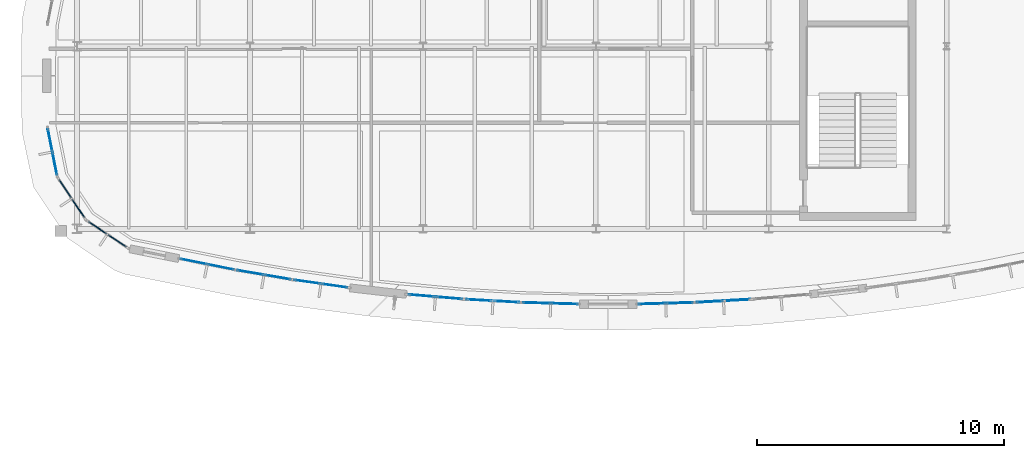
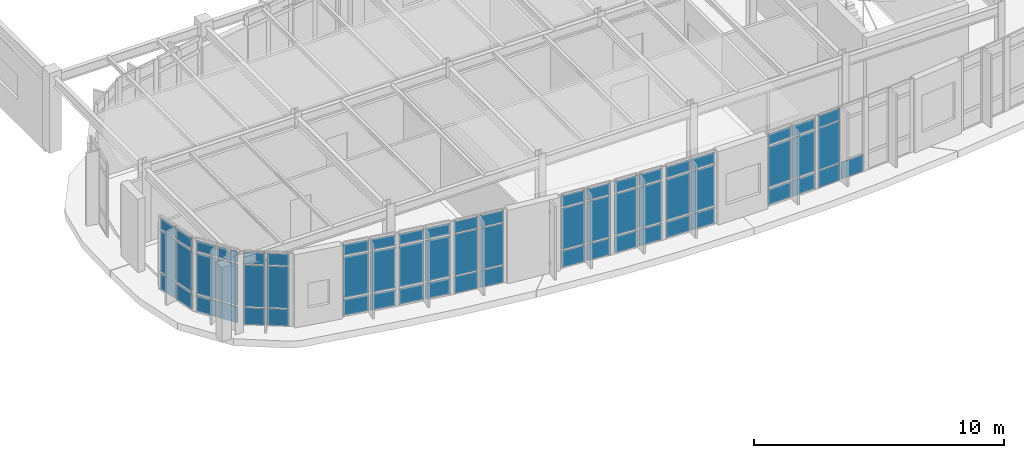
# One storey, part 71 of 111: 64 plates, 11 elements without a shape of their own.
"""IFC4 building model written with IfcOpenShell, lengths in metres."""

import ifcopenshell
import ifcopenshell.guid

model = None  # the IFC model being written
_history = None  # IfcOwnerHistory: only IFC2X3 demands one
_inside = {}  # id of a spatial element -> (the spatial element, [elements in it])
_under = {}  # id of a project, library or spatial element -> (it, [spatial elements below it])
_declared = {}  # id of a project -> (the project, [libraries it declares])
_typed = {}  # id of a type object -> (the type object, [elements of that type])
_made_of = {}  # id of a material, layer set ... -> (it, [elements and type objects made of it])


def new_model(schema):
    """Start an empty IFC model of exactly this schema.

    Asked for "IFC4X3", IfcOpenShell would pick the latest addendum, in which some entities
    have other attributes; the version numbers below select the first issue.
    IFC2X3 requires an IfcOwnerHistory on every rooted entity: one is made here for all.
    """
    global model, _history
    if schema == "IFC4X3":
        model = ifcopenshell.file(schema_version=(4, 3, 0, 0))
    else:
        model = ifcopenshell.file(schema=schema)
    _inside.clear()
    _under.clear()
    _declared.clear()
    _typed.clear()
    _made_of.clear()
    _history = None
    if model.schema == "IFC2X3":
        org = make("IfcOrganization", Name="unknown")
        user = make(
            "IfcPersonAndOrganization",
            ThePerson=make("IfcPerson", FamilyName="unknown"),
            TheOrganization=org,
        )
        app = make(
            "IfcApplication",
            ApplicationDeveloper=org,
            Version="unknown",
            ApplicationFullName="unknown",
            ApplicationIdentifier="unknown",
        )
        _history = make(
            "IfcOwnerHistory",
            OwningUser=user,
            OwningApplication=app,
            ChangeAction="ADDED",
            CreationDate=0,
        )
    return model


def make(cls, **values):
    """One entity of the class cls with the attributes given. An attribute that is None is left unset."""
    return model.create_entity(
        cls, **{name: value for name, value in values.items() if value is not None}
    )


def rooted(cls, **values):
    """An entity with a GlobalId (a new one), such as an element, a storey or a relation."""
    return make(cls, GlobalId=ifcopenshell.guid.new(), OwnerHistory=_history, **values)


def si_unit(unit_type, name, prefix=None):
    """IfcSIUnit, for example si_unit("LENGTHUNIT", "METRE", prefix="MILLI")."""
    return make("IfcSIUnit", UnitType=unit_type, Prefix=prefix, Name=name)


def assignment(units):
    """IfcUnitAssignment: the units of a project."""
    return None if units is None else make("IfcUnitAssignment", Units=units)


def point(xyz):
    """IfcCartesianPoint."""
    return None if xyz is None else make("IfcCartesianPoint", Coordinates=xyz)


def direction(xyz):
    """IfcDirection."""
    return None if xyz is None else make("IfcDirection", DirectionRatios=xyz)


def frame(location, z_axis=None, x_axis=None):
    """IfcAxis2Placement3D, a coordinate frame: its origin and axes. An axis left out is left unset."""
    return make(
        "IfcAxis2Placement3D",
        Location=point(location),
        Axis=direction(z_axis),
        RefDirection=direction(x_axis),
    )


def frame_2d(location, x_axis=None):
    """IfcAxis2Placement2D, a coordinate frame in the plane: its origin and x axis."""
    return make(
        "IfcAxis2Placement2D", Location=point(location), RefDirection=direction(x_axis)
    )


def origin():
    """The frame at (0, 0, 0) with its axes left unset."""
    return frame((0.0, 0.0, 0.0))


def origin_2d():
    """The frame at (0, 0) in the plane with its x axis left unset."""
    return frame_2d((0.0, 0.0))


def place(relative_to, where):
    """IfcLocalPlacement: puts the frame where relative to a parent placement (None: the world)."""
    return make(
        "IfcLocalPlacement", PlacementRelTo=relative_to, RelativePlacement=where
    )


def context(
    kind, dimensions, precision=None, world=None, true_north=None, identifier=None
):
    """IfcGeometricRepresentationContext, for example the 3D "Model" context."""
    return make(
        "IfcGeometricRepresentationContext",
        ContextIdentifier=identifier,
        ContextType=kind,
        CoordinateSpaceDimension=dimensions,
        Precision=precision,
        WorldCoordinateSystem=world,
        TrueNorth=true_north,
    )


def subcontext(parent, identifier, kind, view, scale=None):
    """IfcGeometricRepresentationSubContext, for example "Body" below "Model"."""
    return make(
        "IfcGeometricRepresentationSubContext",
        ContextIdentifier=identifier,
        ContextType=kind,
        ParentContext=parent,
        TargetScale=scale,
        TargetView=view,
    )


def project(units=None, contexts=None):
    """IfcProject with its units and contexts."""
    return rooted(
        "IfcProject",
        Name="project",
        RepresentationContexts=contexts,
        UnitsInContext=assignment(units),
    )


def spatial(cls, under=None, at=None, **own):
    """A site, building, storey or space (cls), placed at a placement, below another one or the project."""
    s = rooted(cls, ObjectPlacement=at, **own)
    if under is not None:
        _under.setdefault(under.id(), (under, []))[1].append(s)
    return s


def profile(cls, at=None, kind="AREA", **sizes):
    """A parametric profile (cls). Its sizes go by their IFC names, for example OverallWidth=200.0."""
    return make(cls, ProfileType=kind, Position=at, **sizes)


def rectangle(**sizes):
    """IfcRectangleProfileDef."""
    return profile("IfcRectangleProfileDef", **sizes)


def extrude(swept, where, along, depth):
    """IfcExtrudedAreaSolid: the profile swept, set in the frame where, extruded along a direction by depth."""
    return make(
        "IfcExtrudedAreaSolid",
        SweptArea=swept,
        Position=where,
        ExtrudedDirection=direction(along),
        Depth=depth,
    )


def shape(context_of_items, identifier, shape_type, items):
    """IfcShapeRepresentation: the items that make up one representation, for example the "Body"."""
    return make(
        "IfcShapeRepresentation",
        ContextOfItems=context_of_items,
        RepresentationIdentifier=identifier,
        RepresentationType=shape_type,
        Items=items,
    )


def material(Name=None, Category=None):
    """IfcMaterial."""
    return make("IfcMaterial", Name=Name, Category=Category)


def layer(
    of_material, thickness, ventilated=None, Name=None, Category=None, Priority=None
):
    """IfcMaterialLayer: one layer of a wall or slab, of a material (None: an air gap)."""
    return make(
        "IfcMaterialLayer",
        Material=of_material,
        LayerThickness=thickness,
        IsVentilated=ventilated,
        Name=Name,
        Category=Category,
        Priority=Priority,
    )


def layer_set(layers, Name=None):
    """IfcMaterialLayerSet."""
    return make("IfcMaterialLayerSet", MaterialLayers=layers, LayerSetName=Name)


def made_of(thing, what):
    """Note that an element or type object is made of a material, layer set ...; save() writes the relation."""
    if what is not None:
        _made_of.setdefault(what.id(), (what, []))[1].append(thing)
    return thing


def type_object(cls, material=None, **own):
    """A type object (cls), such as IfcWallType, which elements share."""
    return made_of(rooted(cls, **own), material)


def element(
    cls,
    number,
    at=None,
    inside=None,
    cuts=None,
    type_object=None,
    material=None,
    context=None,
    identifier="Body",
    shape_type=None,
    held_by="IfcProductDefinitionShape",
    body=None,
    shapes=None,
    **own,
):
    """One element of the class cls, such as IfcWall. Its Tag is "e" and its number.

    at: its placement. inside: the storey or other place that contains it. cuts: it is an
    opening in that element (IfcRelVoidsElement). A single representation is given by context,
    identifier, shape_type and body (its items); several are given by shapes. held_by: the class
    of the entity that holds the representations. save() writes the other relations.
    """
    e = rooted(cls, Tag="e%d" % number, ObjectPlacement=at, **own)
    if body is not None:
        shapes = [shape(context, identifier, shape_type, body)]
    if shapes is not None:
        e.Representation = make(held_by, Representations=shapes)
    if inside is not None:
        _inside.setdefault(inside.id(), (inside, []))[1].append(e)
    if cuts is not None:
        rooted(
            "IfcRelVoidsElement", RelatingBuildingElement=cuts, RelatedOpeningElement=e
        )
    if type_object is not None:
        _typed.setdefault(type_object.id(), (type_object, []))[1].append(e)
    return made_of(e, material)


def aggregate(whole, parts):
    """IfcRelAggregates: a whole, such as a stair, and the parts it consists of."""
    return rooted("IfcRelAggregates", RelatingObject=whole, RelatedObjects=parts)


def save(model, path):
    """Write the relations noted so far, then the file.

    IfcRelAggregates (storeys below a building ...), IfcRelContainedInSpatialStructure (elements
    in a storey), IfcRelDefinesByType, IfcRelAssociatesMaterial and IfcRelDeclares: one each for
    every whole, place, type object, material and project.
    """
    for whole, parts in _under.values():
        aggregate(whole, parts)
    for where, things in _inside.values():
        rooted(
            "IfcRelContainedInSpatialStructure",
            RelatedElements=things,
            RelatingStructure=where,
        )
    for kind, things in _typed.values():
        rooted("IfcRelDefinesByType", RelatedObjects=things, RelatingType=kind)
    for what, things in _made_of.values():
        rooted("IfcRelAssociatesMaterial", RelatedObjects=things, RelatingMaterial=what)
    for by, libraries in _declared.values():
        rooted("IfcRelDeclares", RelatingContext=by, RelatedDefinitions=libraries)
    model.write(path)


model = new_model("IFC4")

# Units and contexts
model_context = context("Model", 3, precision=1e-05, world=origin(), true_north=direction((0.0, 1.0)))
body_context = subcontext(model_context, "Body", "Model", "MODEL_VIEW")
ifc_project = project(units=[si_unit("LENGTHUNIT", "METRE"), si_unit("AREAUNIT", "SQUARE_METRE"), si_unit("VOLUMEUNIT", "CUBIC_METRE"), si_unit("PLANEANGLEUNIT", "RADIAN"), si_unit("MASSUNIT", "GRAM", prefix="KILO")], contexts=[model_context])

# Site, building, storey
site_placement = place(None, origin())
site = spatial("IfcSite", under=ifc_project, at=site_placement, CompositionType="ELEMENT")
building_placement = place(site_placement, origin())
building = spatial("IfcBuilding", under=site, at=building_placement, Name="Corveleigh Park Community Centre", CompositionType="ELEMENT")
storey_placement = place(building_placement, frame((0.0, 0.0, 4.800048828125)))
storey = spatial("IfcBuildingStorey", under=building, at=storey_placement, Name="L01", CompositionType="ELEMENT", Elevation=4.800048828125)

# Curtain wall, plates
ifc_material_1 = material(Name="Anodised aluminium 6063-T6", Category="aluminium")
curtain_wall_type = type_object("IfcCurtainWallType", Name="CW-SYS-V2-HALL", PredefinedType="NOTDEFINED", material=ifc_material_1)
curtain_wall_1_placement = place(storey_placement, origin())
curtain_wall_1 = element("IfcCurtainWall", 1, at=curtain_wall_1_placement, inside=storey, type_object=curtain_wall_type, Name="V2 L01 Curtain Wall 194", PredefinedType="NOTDEFINED")
ifc_material_2 = material(Name="Low-E double glazing", Category="glass")
ifc_layer_1 = layer(ifc_material_2, 0.02392578125, Name="Low-E double glazing", Category="glass")
ifc_layer_set_1 = layer_set([ifc_layer_1], Name="Low-E double glazing")
plate_type_1 = type_object("IfcPlateType", Name="CWP-GLZ-24", PredefinedType="CURTAIN_PANEL", material=ifc_layer_set_1)
plate_1_placement = place(storey_placement, frame((17.022705078125, 76.45947265625, 0.074951171875), z_axis=(0.0, 0.0, 1.0), x_axis=(-0.980381101638, 0.197111378544, 0.0)))
plate_1 = element("IfcPlate", 2, at=plate_1_placement, type_object=plate_type_1, Name="CW04 panel 1.1", PredefinedType="CURTAIN_PANEL", context=body_context, shape_type="SweptSolid", body=[
    extrude(rectangle(XDim=1.061767578125, YDim=0.02392578125, at=origin_2d()), origin(), (0.0, 0.0, 1.0), 0.78759765625),
])
plate_2_placement = place(storey_placement, frame((17.022705078125, 76.45947265625, 0.9375), z_axis=(0.0, 0.0, 1.0), x_axis=(-0.980381101638, 0.197111378544, 0.0)))
plate_2 = element("IfcPlate", 3, at=plate_2_placement, type_object=plate_type_1, Name="CW04 panel 1.2", PredefinedType="CURTAIN_PANEL", context=body_context, shape_type="SweptSolid", body=[
    extrude(rectangle(XDim=1.061767578125, YDim=0.02392578125, at=origin_2d()), origin(), (0.0, 0.0, 1.0), 1.9951171875),
])
plate_3_placement = place(storey_placement, frame((17.022705078125, 76.45947265625, 3.00732421875), z_axis=(0.0, 0.0, 1.0), x_axis=(-0.980381101638, 0.197111378544, 0.0)))
plate_3 = element("IfcPlate", 4, at=plate_3_placement, type_object=plate_type_1, Name="CW04 panel 1.3", PredefinedType="CURTAIN_PANEL", context=body_context, shape_type="SweptSolid", body=[
    extrude(rectangle(XDim=1.061767578125, YDim=0.02392578125, at=origin_2d()), origin(), (0.0, 0.0, 1.0), 0.53759765625),
])
plate_4_placement = place(storey_placement, frame((15.918212890625, 76.681640625, 0.074951171875), z_axis=(0.0, 0.0, 1.0), x_axis=(-0.980381101638, 0.197111378544, 0.0)))
plate_4 = element("IfcPlate", 5, at=plate_4_placement, type_object=plate_type_1, Name="CW04 panel 2.1", PredefinedType="CURTAIN_PANEL", context=body_context, shape_type="SweptSolid", body=[
    extrude(rectangle(XDim=1.061767578125, YDim=0.02392578125, at=origin_2d()), origin(), (0.0, 0.0, 1.0), 0.78759765625),
])
plate_5_placement = place(storey_placement, frame((15.918212890625, 76.681640625, 0.9375), z_axis=(0.0, 0.0, 1.0), x_axis=(-0.980381101638, 0.197111378544, 0.0)))
plate_5 = element("IfcPlate", 6, at=plate_5_placement, type_object=plate_type_1, Name="CW04 panel 2.2", PredefinedType="CURTAIN_PANEL", context=body_context, shape_type="SweptSolid", body=[
    extrude(rectangle(XDim=1.061767578125, YDim=0.02392578125, at=origin_2d()), origin(), (0.0, 0.0, 1.0), 1.9951171875),
])
plate_6_placement = place(storey_placement, frame((15.918212890625, 76.681640625, 3.00732421875), z_axis=(0.0, 0.0, 1.0), x_axis=(-0.980381101638, 0.197111378544, 0.0)))
plate_6 = element("IfcPlate", 7, at=plate_6_placement, type_object=plate_type_1, Name="CW04 panel 2.3", PredefinedType="CURTAIN_PANEL", context=body_context, shape_type="SweptSolid", body=[
    extrude(rectangle(XDim=1.061767578125, YDim=0.02392578125, at=origin_2d()), origin(), (0.0, 0.0, 1.0), 0.53759765625),
])
aggregate(curtain_wall_1, [plate_1, plate_2, plate_3, plate_4, plate_5, plate_6])

curtain_wall_2_placement = place(storey_placement, origin())
curtain_wall_2 = element("IfcCurtainWall", 8, at=curtain_wall_2_placement, inside=storey, type_object=curtain_wall_type, Name="V2 L01 Curtain Wall 195", PredefinedType="NOTDEFINED")
ifc_layer_2 = layer(ifc_material_2, 0.028076171875, Name="Low-E double glazing", Category="glass")
ifc_layer_set_2 = layer_set([ifc_layer_2], Name="Low-E double glazing")
plate_type_2 = type_object("IfcPlateType", Name="CWP-GLZ-28", PredefinedType="CURTAIN_PANEL", material=ifc_layer_set_2)
plate_7_placement = place(storey_placement, frame((19.3193359375, 76.04833984375, 0.080078125), z_axis=(0.0, 0.0, 1.0), x_axis=(-0.985708447551, 0.16846025177, 0.0)))
plate_7 = element("IfcPlate", 9, at=plate_7_placement, type_object=plate_type_2, Name="CW04 panel 1.1", PredefinedType="CURTAIN_PANEL", context=body_context, shape_type="SweptSolid", body=[
    extrude(rectangle(XDim=1.052490234375, YDim=0.028076171875, at=origin_2d()), origin(), (0.0, 0.0, 1.0), 0.780029296875),
])
plate_8_placement = place(storey_placement, frame((19.3193359375, 76.04833984375, 0.93994140625), z_axis=(0.0, 0.0, 1.0), x_axis=(-0.985708447551, 0.16846025177, 0.0)))
plate_8 = element("IfcPlate", 10, at=plate_8_placement, type_object=plate_type_2, Name="CW04 panel 1.2", PredefinedType="CURTAIN_PANEL", context=body_context, shape_type="SweptSolid", body=[
    extrude(rectangle(XDim=1.052490234375, YDim=0.028076171875, at=origin_2d()), origin(), (0.0, 0.0, 1.0), 1.989990234375),
])
plate_9_placement = place(storey_placement, frame((19.3193359375, 76.04833984375, 3.009765625), z_axis=(0.0, 0.0, 1.0), x_axis=(-0.985708447551, 0.16846025177, 0.0)))
plate_9 = element("IfcPlate", 11, at=plate_9_placement, type_object=plate_type_2, Name="CW04 panel 1.3", PredefinedType="CURTAIN_PANEL", context=body_context, shape_type="SweptSolid", body=[
    extrude(rectangle(XDim=1.052490234375, YDim=0.028076171875, at=origin_2d()), origin(), (0.0, 0.0, 1.0), 0.530029296875),
])
plate_10_placement = place(storey_placement, frame((18.212646484375, 76.237548828125, 0.080078125), z_axis=(0.0, 0.0, 1.0), x_axis=(-0.985708447551, 0.16846025177, 0.0)))
plate_10 = element("IfcPlate", 12, at=plate_10_placement, type_object=plate_type_2, Name="CW04 panel 2.1", PredefinedType="CURTAIN_PANEL", context=body_context, shape_type="SweptSolid", body=[
    extrude(rectangle(XDim=1.052490234375, YDim=0.028076171875, at=origin_2d()), origin(), (0.0, 0.0, 1.0), 0.780029296875),
])
plate_11_placement = place(storey_placement, frame((18.212646484375, 76.237548828125, 0.93994140625), z_axis=(0.0, 0.0, 1.0), x_axis=(-0.985708447551, 0.16846025177, 0.0)))
plate_11 = element("IfcPlate", 13, at=plate_11_placement, type_object=plate_type_2, Name="CW04 panel 2.2", PredefinedType="CURTAIN_PANEL", context=body_context, shape_type="SweptSolid", body=[
    extrude(rectangle(XDim=1.052490234375, YDim=0.028076171875, at=origin_2d()), origin(), (0.0, 0.0, 1.0), 1.989990234375),
])
plate_12_placement = place(storey_placement, frame((18.212646484375, 76.237548828125, 3.009765625), z_axis=(0.0, 0.0, 1.0), x_axis=(-0.985708447551, 0.16846025177, 0.0)))
plate_12 = element("IfcPlate", 14, at=plate_12_placement, type_object=plate_type_2, Name="CW04 panel 2.3", PredefinedType="CURTAIN_PANEL", context=body_context, shape_type="SweptSolid", body=[
    extrude(rectangle(XDim=1.052490234375, YDim=0.028076171875, at=origin_2d()), origin(), (0.0, 0.0, 1.0), 0.530029296875),
])
aggregate(curtain_wall_2, [plate_7, plate_8, plate_9, plate_10, plate_11, plate_12])

curtain_wall_3_placement = place(storey_placement, origin())
curtain_wall_3 = element("IfcCurtainWall", 15, at=curtain_wall_3_placement, inside=storey, type_object=curtain_wall_type, Name="V2 L01 Curtain Wall 196", PredefinedType="NOTDEFINED")
plate_13_placement = place(storey_placement, frame((21.62548828125, 75.70166015625, 0.059814453125), z_axis=(0.0, 0.0, 1.0), x_axis=(-0.989914912111, 0.141663216042, 0.0)))
plate_13 = element("IfcPlate", 16, at=plate_13_placement, type_object=plate_type_2, Name="CW04 panel 1.1", PredefinedType="CURTAIN_PANEL", context=body_context, shape_type="SweptSolid", body=[
    extrude(rectangle(XDim=1.045166015625, YDim=0.028076171875, at=origin_2d()), origin(), (0.0, 0.0, 1.0), 0.81005859375),
])
plate_14_placement = place(storey_placement, frame((21.62548828125, 75.70166015625, 0.93017578125), z_axis=(0.0, 0.0, 1.0), x_axis=(-0.989914912111, 0.141663216042, 0.0)))
plate_14 = element("IfcPlate", 17, at=plate_14_placement, type_object=plate_type_2, Name="CW04 panel 1.2", PredefinedType="CURTAIN_PANEL", context=body_context, shape_type="SweptSolid", body=[
    extrude(rectangle(XDim=1.045166015625, YDim=0.028076171875, at=origin_2d()), origin(), (0.0, 0.0, 1.0), 2.010009765625),
])
plate_15_placement = place(storey_placement, frame((21.62548828125, 75.70166015625, 3.0), z_axis=(0.0, 0.0, 1.0), x_axis=(-0.989914912111, 0.141663216042, 0.0)))
plate_15 = element("IfcPlate", 18, at=plate_15_placement, type_object=plate_type_2, Name="CW04 panel 1.3", PredefinedType="CURTAIN_PANEL", context=body_context, shape_type="SweptSolid", body=[
    extrude(rectangle(XDim=1.045166015625, YDim=0.028076171875, at=origin_2d()), origin(), (0.0, 0.0, 1.0), 0.56005859375),
])
plate_16_placement = place(storey_placement, frame((20.5166015625, 75.8603515625, 0.059814453125), z_axis=(0.0, 0.0, 1.0), x_axis=(-0.989914912111, 0.141663216042, 0.0)))
plate_16 = element("IfcPlate", 19, at=plate_16_placement, type_object=plate_type_2, Name="CW04 panel 2.1", PredefinedType="CURTAIN_PANEL", context=body_context, shape_type="SweptSolid", body=[
    extrude(rectangle(XDim=1.045166015625, YDim=0.028076171875, at=origin_2d()), origin(), (0.0, 0.0, 1.0), 0.81005859375),
])
plate_17_placement = place(storey_placement, frame((20.5166015625, 75.8603515625, 0.93017578125), z_axis=(0.0, 0.0, 1.0), x_axis=(-0.989914912111, 0.141663216042, 0.0)))
plate_17 = element("IfcPlate", 20, at=plate_17_placement, type_object=plate_type_2, Name="CW04 panel 2.2", PredefinedType="CURTAIN_PANEL", context=body_context, shape_type="SweptSolid", body=[
    extrude(rectangle(XDim=1.045166015625, YDim=0.028076171875, at=origin_2d()), origin(), (0.0, 0.0, 1.0), 2.010009765625),
])
plate_18_placement = place(storey_placement, frame((20.5166015625, 75.8603515625, 3.0), z_axis=(0.0, 0.0, 1.0), x_axis=(-0.989914912111, 0.141663216042, 0.0)))
plate_18 = element("IfcPlate", 21, at=plate_18_placement, type_object=plate_type_2, Name="CW04 panel 2.3", PredefinedType="CURTAIN_PANEL", context=body_context, shape_type="SweptSolid", body=[
    extrude(rectangle(XDim=1.045166015625, YDim=0.028076171875, at=origin_2d()), origin(), (0.0, 0.0, 1.0), 0.56005859375),
])
aggregate(curtain_wall_3, [plate_13, plate_14, plate_15, plate_16, plate_17, plate_18])

curtain_wall_4_placement = place(storey_placement, origin())
curtain_wall_4 = element("IfcCurtainWall", 22, at=curtain_wall_4_placement, inside=storey, type_object=curtain_wall_type, Name="V2 L01 Curtain Wall 197", PredefinedType="NOTDEFINED")
ifc_layer_3 = layer(ifc_material_2, 0.031982421875, Name="Low-E double glazing", Category="glass")
ifc_layer_set_3 = layer_set([ifc_layer_3], Name="Low-E double glazing")
plate_type_3 = type_object("IfcPlateType", Name="CWP-GLZ-32", PredefinedType="CURTAIN_PANEL", material=ifc_layer_set_3)
plate_19_placement = place(storey_placement, frame((26.264404296875, 75.205810546875, 0.06494140625), z_axis=(0.0, 0.0, 1.0), x_axis=(-0.996410419918, 0.084653854486, 0.0)))
plate_19 = element("IfcPlate", 23, at=plate_19_placement, type_object=plate_type_3, Name="CW04 panel 1.1", PredefinedType="CURTAIN_PANEL", context=body_context, shape_type="SweptSolid", body=[
    extrude(rectangle(XDim=1.03759765625, YDim=0.031982421875, at=origin_2d()), origin(), (0.0, 0.0, 1.0), 0.802490234375),
])
plate_20_placement = place(storey_placement, frame((26.264404296875, 75.205810546875, 0.9326171875), z_axis=(0.0, 0.0, 1.0), x_axis=(-0.996410419918, 0.084653854486, 0.0)))
plate_20 = element("IfcPlate", 24, at=plate_20_placement, type_object=plate_type_3, Name="CW04 panel 1.2", PredefinedType="CURTAIN_PANEL", context=body_context, shape_type="SweptSolid", body=[
    extrude(rectangle(XDim=1.03759765625, YDim=0.031982421875, at=origin_2d()), origin(), (0.0, 0.0, 1.0), 2.0048828125),
])
plate_21_placement = place(storey_placement, frame((26.264404296875, 75.205810546875, 3.00244140625), z_axis=(0.0, 0.0, 1.0), x_axis=(-0.996410419918, 0.084653854486, 0.0)))
plate_21 = element("IfcPlate", 25, at=plate_21_placement, type_object=plate_type_3, Name="CW04 panel 1.3", PredefinedType="CURTAIN_PANEL", context=body_context, shape_type="SweptSolid", body=[
    extrude(rectangle(XDim=1.03759765625, YDim=0.031982421875, at=origin_2d()), origin(), (0.0, 0.0, 1.0), 0.552490234375),
])
plate_22_placement = place(storey_placement, frame((25.150634765625, 75.30029296875, 0.06494140625), z_axis=(0.0, 0.0, 1.0), x_axis=(-0.996410419918, 0.084653854486, 0.0)))
plate_22 = element("IfcPlate", 26, at=plate_22_placement, type_object=plate_type_3, Name="CW04 panel 2.1", PredefinedType="CURTAIN_PANEL", context=body_context, shape_type="SweptSolid", body=[
    extrude(rectangle(XDim=1.03759765625, YDim=0.031982421875, at=origin_2d()), origin(), (0.0, 0.0, 1.0), 0.802490234375),
])
plate_23_placement = place(storey_placement, frame((25.150634765625, 75.30029296875, 0.9326171875), z_axis=(0.0, 0.0, 1.0), x_axis=(-0.996410419918, 0.084653854486, 0.0)))
plate_23 = element("IfcPlate", 27, at=plate_23_placement, type_object=plate_type_3, Name="CW04 panel 2.2", PredefinedType="CURTAIN_PANEL", context=body_context, shape_type="SweptSolid", body=[
    extrude(rectangle(XDim=1.03759765625, YDim=0.031982421875, at=origin_2d()), origin(), (0.0, 0.0, 1.0), 2.0048828125),
])
plate_24_placement = place(storey_placement, frame((25.150634765625, 75.30029296875, 3.00244140625), z_axis=(0.0, 0.0, 1.0), x_axis=(-0.996410419918, 0.084653854486, 0.0)))
plate_24 = element("IfcPlate", 28, at=plate_24_placement, type_object=plate_type_3, Name="CW04 panel 2.3", PredefinedType="CURTAIN_PANEL", context=body_context, shape_type="SweptSolid", body=[
    extrude(rectangle(XDim=1.03759765625, YDim=0.031982421875, at=origin_2d()), origin(), (0.0, 0.0, 1.0), 0.552490234375),
])
aggregate(curtain_wall_4, [plate_19, plate_20, plate_21, plate_22, plate_23, plate_24])

curtain_wall_5_placement = place(storey_placement, origin())
curtain_wall_5 = element("IfcCurtainWall", 29, at=curtain_wall_5_placement, inside=storey, type_object=curtain_wall_type, Name="V2 L01 Curtain Wall 198", PredefinedType="NOTDEFINED")
plate_25_placement = place(storey_placement, frame((28.591796875, 75.056640625, 0.070068359375), z_axis=(0.0, 0.0, 1.0), x_axis=(-0.998422923611, 0.056139697262, 0.0)))
plate_25 = element("IfcPlate", 30, at=plate_25_placement, type_object=plate_type_3, Name="CW04 panel 1.1", PredefinedType="CURTAIN_PANEL", context=body_context, shape_type="SweptSolid", body=[
    extrude(rectangle(XDim=1.0302734375, YDim=0.031982421875, at=origin_2d()), origin(), (0.0, 0.0, 1.0), 0.794921875),
])
plate_26_placement = place(storey_placement, frame((28.591796875, 75.056640625, 0.93505859375), z_axis=(0.0, 0.0, 1.0), x_axis=(-0.998422923611, 0.056139697262, 0.0)))
plate_26 = element("IfcPlate", 31, at=plate_26_placement, type_object=plate_type_3, Name="CW04 panel 1.2", PredefinedType="CURTAIN_PANEL", context=body_context, shape_type="SweptSolid", body=[
    extrude(rectangle(XDim=1.0302734375, YDim=0.031982421875, at=origin_2d()), origin(), (0.0, 0.0, 1.0), 2.0),
])
plate_27_placement = place(storey_placement, frame((28.591796875, 75.056640625, 3.0048828125), z_axis=(0.0, 0.0, 1.0), x_axis=(-0.998422923611, 0.056139697262, 0.0)))
plate_27 = element("IfcPlate", 32, at=plate_27_placement, type_object=plate_type_3, Name="CW04 panel 1.3", PredefinedType="CURTAIN_PANEL", context=body_context, shape_type="SweptSolid", body=[
    extrude(rectangle(XDim=1.0302734375, YDim=0.031982421875, at=origin_2d()), origin(), (0.0, 0.0, 1.0), 0.544921875),
])
plate_28_placement = place(storey_placement, frame((27.478271484375, 75.119384765625, 0.070068359375), z_axis=(0.0, 0.0, 1.0), x_axis=(-0.998422923611, 0.056139697262, 0.0)))
plate_28 = element("IfcPlate", 33, at=plate_28_placement, type_object=plate_type_3, Name="CW04 panel 2.1", PredefinedType="CURTAIN_PANEL", context=body_context, shape_type="SweptSolid", body=[
    extrude(rectangle(XDim=1.0302734375, YDim=0.031982421875, at=origin_2d()), origin(), (0.0, 0.0, 1.0), 0.794921875),
])
plate_29_placement = place(storey_placement, frame((27.478271484375, 75.119384765625, 0.93505859375), z_axis=(0.0, 0.0, 1.0), x_axis=(-0.998422923611, 0.056139697262, 0.0)))
plate_29 = element("IfcPlate", 34, at=plate_29_placement, type_object=plate_type_3, Name="CW04 panel 2.2", PredefinedType="CURTAIN_PANEL", context=body_context, shape_type="SweptSolid", body=[
    extrude(rectangle(XDim=1.0302734375, YDim=0.031982421875, at=origin_2d()), origin(), (0.0, 0.0, 1.0), 2.0),
])
plate_30_placement = place(storey_placement, frame((27.478271484375, 75.119384765625, 3.0048828125), z_axis=(0.0, 0.0, 1.0), x_axis=(-0.998422923611, 0.056139697262, 0.0)))
plate_30 = element("IfcPlate", 35, at=plate_30_placement, type_object=plate_type_3, Name="CW04 panel 2.3", PredefinedType="CURTAIN_PANEL", context=body_context, shape_type="SweptSolid", body=[
    extrude(rectangle(XDim=1.0302734375, YDim=0.031982421875, at=origin_2d()), origin(), (0.0, 0.0, 1.0), 0.544921875),
])
aggregate(curtain_wall_5, [plate_25, plate_26, plate_27, plate_28, plate_29, plate_30])

curtain_wall_6_placement = place(storey_placement, origin())
curtain_wall_6 = element("IfcCurtainWall", 36, at=curtain_wall_6_placement, inside=storey, type_object=curtain_wall_type, Name="V2 L01 Curtain Wall 199", PredefinedType="NOTDEFINED")
ifc_layer_4 = layer(ifc_material_2, 0.035888671875, Name="Low-E double glazing", Category="glass")
ifc_layer_set_4 = layer_set([ifc_layer_4], Name="Low-E double glazing")
plate_type_4 = type_object("IfcPlateType", Name="CWP-GLZ-36", PredefinedType="CURTAIN_PANEL", material=ifc_layer_set_4)
plate_31_placement = place(storey_placement, frame((30.93017578125, 74.972900390625, 0.074951171875), z_axis=(0.0, 0.0, 1.0), x_axis=(-0.999593845531, 0.028498139871, 0.0)))
plate_31 = element("IfcPlate", 37, at=plate_31_placement, type_object=plate_type_4, Name="CW04 panel 1.1", PredefinedType="CURTAIN_PANEL", context=body_context, shape_type="SweptSolid", body=[
    extrude(rectangle(XDim=1.06787109375, YDim=0.035888671875, at=origin_2d()), origin(), (0.0, 0.0, 1.0), 0.78759765625),
])
plate_32_placement = place(storey_placement, frame((30.93017578125, 74.972900390625, 0.9375), z_axis=(0.0, 0.0, 1.0), x_axis=(-0.999593845531, 0.028498139871, 0.0)))
plate_32 = element("IfcPlate", 38, at=plate_32_placement, type_object=plate_type_4, Name="CW04 panel 1.2", PredefinedType="CURTAIN_PANEL", context=body_context, shape_type="SweptSolid", body=[
    extrude(rectangle(XDim=1.06787109375, YDim=0.035888671875, at=origin_2d()), origin(), (0.0, 0.0, 1.0), 1.9951171875),
])
plate_33_placement = place(storey_placement, frame((30.93017578125, 74.972900390625, 3.00732421875), z_axis=(0.0, 0.0, 1.0), x_axis=(-0.999593845531, 0.028498139871, 0.0)))
plate_33 = element("IfcPlate", 39, at=plate_33_placement, type_object=plate_type_4, Name="CW04 panel 1.3", PredefinedType="CURTAIN_PANEL", context=body_context, shape_type="SweptSolid", body=[
    extrude(rectangle(XDim=1.06787109375, YDim=0.035888671875, at=origin_2d()), origin(), (0.0, 0.0, 1.0), 0.53759765625),
])
plate_34_placement = place(storey_placement, frame((29.802734375, 75.005126953125, 0.074951171875), z_axis=(0.0, 0.0, 1.0), x_axis=(-0.999593845531, 0.028498139871, 0.0)))
plate_34 = element("IfcPlate", 40, at=plate_34_placement, type_object=plate_type_4, Name="CW04 panel 2.1", PredefinedType="CURTAIN_PANEL", context=body_context, shape_type="SweptSolid", body=[
    extrude(rectangle(XDim=1.06787109375, YDim=0.035888671875, at=origin_2d()), origin(), (0.0, 0.0, 1.0), 0.78759765625),
])
plate_35_placement = place(storey_placement, frame((29.802734375, 75.005126953125, 0.9375), z_axis=(0.0, 0.0, 1.0), x_axis=(-0.999593845531, 0.028498139871, 0.0)))
plate_35 = element("IfcPlate", 41, at=plate_35_placement, type_object=plate_type_4, Name="CW04 panel 2.2", PredefinedType="CURTAIN_PANEL", context=body_context, shape_type="SweptSolid", body=[
    extrude(rectangle(XDim=1.06787109375, YDim=0.035888671875, at=origin_2d()), origin(), (0.0, 0.0, 1.0), 1.9951171875),
])
plate_36_placement = place(storey_placement, frame((29.802734375, 75.005126953125, 3.00732421875), z_axis=(0.0, 0.0, 1.0), x_axis=(-0.999593845531, 0.028498139871, 0.0)))
plate_36 = element("IfcPlate", 42, at=plate_36_placement, type_object=plate_type_4, Name="CW04 panel 2.3", PredefinedType="CURTAIN_PANEL", context=body_context, shape_type="SweptSolid", body=[
    extrude(rectangle(XDim=1.06787109375, YDim=0.035888671875, at=origin_2d()), origin(), (0.0, 0.0, 1.0), 0.53759765625),
])
aggregate(curtain_wall_6, [plate_31, plate_32, plate_33, plate_34, plate_35, plate_36])

curtain_wall_7_placement = place(storey_placement, origin())
curtain_wall_7 = element("IfcCurtainWall", 43, at=curtain_wall_7_placement, inside=storey, type_object=curtain_wall_type, Name="V2 L01 Curtain Wall 200", PredefinedType="NOTDEFINED")
plate_37_placement = place(storey_placement, frame((35.595947265625, 75.005126953125, 0.080078125), z_axis=(0.0, 0.0, 1.0), x_axis=(-0.999593845531, -0.028498139871, 0.0)))
plate_37 = element("IfcPlate", 44, at=plate_37_placement, type_object=plate_type_4, Name="CW04 panel 1.1", PredefinedType="CURTAIN_PANEL", context=body_context, shape_type="SweptSolid", body=[
    extrude(rectangle(XDim=1.060546875, YDim=0.035888671875, at=origin_2d()), origin(), (0.0, 0.0, 1.0), 0.780029296875),
])
plate_38_placement = place(storey_placement, frame((35.595947265625, 75.005126953125, 0.93994140625), z_axis=(0.0, 0.0, 1.0), x_axis=(-0.999593845531, -0.028498139871, 0.0)))
plate_38 = element("IfcPlate", 45, at=plate_38_placement, type_object=plate_type_4, Name="CW04 panel 1.2", PredefinedType="CURTAIN_PANEL", context=body_context, shape_type="SweptSolid", body=[
    extrude(rectangle(XDim=1.060546875, YDim=0.035888671875, at=origin_2d()), origin(), (0.0, 0.0, 1.0), 1.989990234375),
])
plate_39_placement = place(storey_placement, frame((35.595947265625, 75.005126953125, 3.009765625), z_axis=(0.0, 0.0, 1.0), x_axis=(-0.999593845531, -0.028498139871, 0.0)))
plate_39 = element("IfcPlate", 46, at=plate_39_placement, type_object=plate_type_4, Name="CW04 panel 1.3", PredefinedType="CURTAIN_PANEL", context=body_context, shape_type="SweptSolid", body=[
    extrude(rectangle(XDim=1.060546875, YDim=0.035888671875, at=origin_2d()), origin(), (0.0, 0.0, 1.0), 0.530029296875),
])
plate_40_placement = place(storey_placement, frame((34.470947265625, 74.972900390625, 0.080078125), z_axis=(0.0, 0.0, 1.0), x_axis=(-0.999593845531, -0.028498139871, 0.0)))
plate_40 = element("IfcPlate", 47, at=plate_40_placement, type_object=plate_type_4, Name="CW04 panel 2.1", PredefinedType="CURTAIN_PANEL", context=body_context, shape_type="SweptSolid", body=[
    extrude(rectangle(XDim=1.060546875, YDim=0.035888671875, at=origin_2d()), origin(), (0.0, 0.0, 1.0), 0.780029296875),
])
plate_41_placement = place(storey_placement, frame((34.470947265625, 74.972900390625, 0.93994140625), z_axis=(0.0, 0.0, 1.0), x_axis=(-0.999593845531, -0.028498139871, 0.0)))
plate_41 = element("IfcPlate", 48, at=plate_41_placement, type_object=plate_type_4, Name="CW04 panel 2.2", PredefinedType="CURTAIN_PANEL", context=body_context, shape_type="SweptSolid", body=[
    extrude(rectangle(XDim=1.060546875, YDim=0.035888671875, at=origin_2d()), origin(), (0.0, 0.0, 1.0), 1.989990234375),
])
plate_42_placement = place(storey_placement, frame((34.470947265625, 74.972900390625, 3.009765625), z_axis=(0.0, 0.0, 1.0), x_axis=(-0.999593845531, -0.028498139871, 0.0)))
plate_42 = element("IfcPlate", 49, at=plate_42_placement, type_object=plate_type_4, Name="CW04 panel 2.3", PredefinedType="CURTAIN_PANEL", context=body_context, shape_type="SweptSolid", body=[
    extrude(rectangle(XDim=1.060546875, YDim=0.035888671875, at=origin_2d()), origin(), (0.0, 0.0, 1.0), 0.530029296875),
])
aggregate(curtain_wall_7, [plate_37, plate_38, plate_39, plate_40, plate_41, plate_42])

curtain_wall_8_placement = place(storey_placement, origin())
curtain_wall_8 = element("IfcCurtainWall", 50, at=curtain_wall_8_placement, inside=storey, type_object=curtain_wall_type, Name="V2 L01 Curtain Wall 224", PredefinedType="NOTDEFINED")
plate_43_placement = place(storey_placement, frame((10.2958984375, 80.6416015625, 0.074951171875), z_axis=(0.0, 0.0, 1.0), x_axis=(-0.195063384171, 0.980790638289, 0.0)))
plate_43 = element("IfcPlate", 51, at=plate_43_placement, type_object=plate_type_4, Name="CW04 panel 1.1", PredefinedType="CURTAIN_PANEL", context=body_context, shape_type="SweptSolid", body=[
    extrude(rectangle(XDim=0.9072265625, YDim=0.035888671875, at=origin_2d()), origin(), (0.0, 0.0, 1.0), 0.78759765625),
])
plate_44_placement = place(storey_placement, frame((10.2958984375, 80.6416015625, 0.9375), z_axis=(0.0, 0.0, 1.0), x_axis=(-0.195063384171, 0.980790638289, 0.0)))
plate_44 = element("IfcPlate", 52, at=plate_44_placement, type_object=plate_type_4, Name="CW04 panel 1.2", PredefinedType="CURTAIN_PANEL", context=body_context, shape_type="SweptSolid", body=[
    extrude(rectangle(XDim=0.9072265625, YDim=0.035888671875, at=origin_2d()), origin(), (0.0, 0.0, 1.0), 1.9951171875),
])
plate_45_placement = place(storey_placement, frame((10.2958984375, 80.6416015625, 3.00732421875), z_axis=(0.0, 0.0, 1.0), x_axis=(-0.195063384171, 0.980790638289, 0.0)))
plate_45 = element("IfcPlate", 53, at=plate_45_placement, type_object=plate_type_4, Name="CW04 panel 1.3", PredefinedType="CURTAIN_PANEL", context=body_context, shape_type="SweptSolid", body=[
    extrude(rectangle(XDim=0.9072265625, YDim=0.035888671875, at=origin_2d()), origin(), (0.0, 0.0, 1.0), 0.53759765625),
])
plate_46_placement = place(storey_placement, frame((10.106201171875, 81.59521484375, 0.074951171875), z_axis=(0.0, 0.0, 1.0), x_axis=(-0.195063384171, 0.980790638289, 0.0)))
plate_46 = element("IfcPlate", 54, at=plate_46_placement, type_object=plate_type_4, Name="CW04 panel 2.1", PredefinedType="CURTAIN_PANEL", context=body_context, shape_type="SweptSolid", body=[
    extrude(rectangle(XDim=0.9072265625, YDim=0.035888671875, at=origin_2d()), origin(), (0.0, 0.0, 1.0), 0.78759765625),
])
plate_47_placement = place(storey_placement, frame((10.106201171875, 81.59521484375, 0.9375), z_axis=(0.0, 0.0, 1.0), x_axis=(-0.195063384171, 0.980790638289, 0.0)))
plate_47 = element("IfcPlate", 55, at=plate_47_placement, type_object=plate_type_4, Name="CW04 panel 2.2", PredefinedType="CURTAIN_PANEL", context=body_context, shape_type="SweptSolid", body=[
    extrude(rectangle(XDim=0.9072265625, YDim=0.035888671875, at=origin_2d()), origin(), (0.0, 0.0, 1.0), 1.9951171875),
])
plate_48_placement = place(storey_placement, frame((10.106201171875, 81.59521484375, 3.00732421875), z_axis=(0.0, 0.0, 1.0), x_axis=(-0.195063384171, 0.980790638289, 0.0)))
plate_48 = element("IfcPlate", 56, at=plate_48_placement, type_object=plate_type_4, Name="CW04 panel 2.3", PredefinedType="CURTAIN_PANEL", context=body_context, shape_type="SweptSolid", body=[
    extrude(rectangle(XDim=0.9072265625, YDim=0.035888671875, at=origin_2d()), origin(), (0.0, 0.0, 1.0), 0.53759765625),
])
aggregate(curtain_wall_8, [plate_43, plate_44, plate_45, plate_46, plate_47, plate_48])

curtain_wall_9_placement = place(storey_placement, origin())
curtain_wall_9 = element("IfcCurtainWall", 57, at=curtain_wall_9_placement, inside=storey, type_object=curtain_wall_type, Name="V2 L01 Curtain Wall 201", PredefinedType="NOTDEFINED")
ifc_layer_5 = layer(ifc_material_2, 0.0400390625, Name="Low-E double glazing", Category="glass")
ifc_layer_set_5 = layer_set([ifc_layer_5], Name="Low-E double glazing")
plate_type_5 = type_object("IfcPlateType", Name="CWP-GLZ-40", PredefinedType="CURTAIN_PANEL", material=ifc_layer_set_5)
plate_49_placement = place(storey_placement, frame((37.925537109375, 75.11962890625, 0.059814453125), z_axis=(0.0, 0.0, 1.0), x_axis=(-0.998422923611, -0.056139697262, 0.0)))
plate_49 = element("IfcPlate", 58, at=plate_49_placement, type_object=plate_type_5, Name="CW04 panel 1.1", PredefinedType="CURTAIN_PANEL", context=body_context, shape_type="SweptSolid", body=[
    extrude(rectangle(XDim=1.052734375, YDim=0.0400390625, at=origin_2d()), origin(), (0.0, 0.0, 1.0), 0.81005859375),
])
plate_50_placement = place(storey_placement, frame((36.804443359375, 75.056396484375, 0.059814453125), z_axis=(0.0, 0.0, 1.0), x_axis=(-0.998422923611, -0.056139697262, 0.0)))
plate_50 = element("IfcPlate", 59, at=plate_50_placement, type_object=plate_type_5, Name="CW04 panel 2.1", PredefinedType="CURTAIN_PANEL", context=body_context, shape_type="SweptSolid", body=[
    extrude(rectangle(XDim=1.052734375, YDim=0.0400390625, at=origin_2d()), origin(), (0.0, 0.0, 1.0), 0.81005859375),
])
plate_51_placement = place(storey_placement, frame((36.804443359375, 75.056396484375, 0.93017578125), z_axis=(0.0, 0.0, 1.0), x_axis=(-0.998422923611, -0.056139697262, 0.0)))
plate_51 = element("IfcPlate", 60, at=plate_51_placement, type_object=plate_type_5, Name="CW04 panel 2.2", PredefinedType="CURTAIN_PANEL", context=body_context, shape_type="SweptSolid", body=[
    extrude(rectangle(XDim=1.052734375, YDim=0.0400390625, at=origin_2d()), origin(), (0.0, 0.0, 1.0), 2.010009765625),
])
plate_52_placement = place(storey_placement, frame((36.804443359375, 75.056396484375, 3.0), z_axis=(0.0, 0.0, 1.0), x_axis=(-0.998422923611, -0.056139697262, 0.0)))
plate_52 = element("IfcPlate", 61, at=plate_52_placement, type_object=plate_type_5, Name="CW04 panel 2.3", PredefinedType="CURTAIN_PANEL", context=body_context, shape_type="SweptSolid", body=[
    extrude(rectangle(XDim=1.052734375, YDim=0.0400390625, at=origin_2d()), origin(), (0.0, 0.0, 1.0), 0.56005859375),
])
aggregate(curtain_wall_9, [plate_49, plate_50, plate_51, plate_52])

curtain_wall_10_placement = place(storey_placement, origin())
curtain_wall_10 = element("IfcCurtainWall", 62, at=curtain_wall_10_placement, inside=storey, type_object=curtain_wall_type, Name="V2 L01 Curtain Wall 225", PredefinedType="NOTDEFINED")
plate_53_placement = place(storey_placement, frame((11.25, 78.826171875, 0.080078125), z_axis=(0.0, 0.0, 1.0), x_axis=(-0.555512027575, 0.831508500991, 0.0)))
plate_53 = element("IfcPlate", 63, at=plate_53_placement, type_object=plate_type_5, Name="CW04 panel 1.1", PredefinedType="CURTAIN_PANEL", context=body_context, shape_type="SweptSolid", body=[
    extrude(rectangle(XDim=0.8896484375, YDim=0.0400390625, at=origin_2d()), origin(), (0.0, 0.0, 1.0), 0.780029296875),
])
plate_54_placement = place(storey_placement, frame((11.25, 78.826171875, 0.93994140625), z_axis=(0.0, 0.0, 1.0), x_axis=(-0.555512027575, 0.831508500991, 0.0)))
plate_54 = element("IfcPlate", 64, at=plate_54_placement, type_object=plate_type_5, Name="CW04 panel 1.2", PredefinedType="CURTAIN_PANEL", context=body_context, shape_type="SweptSolid", body=[
    extrude(rectangle(XDim=0.8896484375, YDim=0.0400390625, at=origin_2d()), origin(), (0.0, 0.0, 1.0), 1.989990234375),
])
plate_55_placement = place(storey_placement, frame((11.25, 78.826171875, 3.009765625), z_axis=(0.0, 0.0, 1.0), x_axis=(-0.555512027575, 0.831508500991, 0.0)))
plate_55 = element("IfcPlate", 65, at=plate_55_placement, type_object=plate_type_5, Name="CW04 panel 1.3", PredefinedType="CURTAIN_PANEL", context=body_context, shape_type="SweptSolid", body=[
    extrude(rectangle(XDim=0.8896484375, YDim=0.0400390625, at=origin_2d()), origin(), (0.0, 0.0, 1.0), 0.530029296875),
])
plate_56_placement = place(storey_placement, frame((10.717041015625, 79.6240234375, 0.080078125), z_axis=(0.0, 0.0, 1.0), x_axis=(-0.555512027575, 0.831508500991, 0.0)))
plate_56 = element("IfcPlate", 66, at=plate_56_placement, type_object=plate_type_5, Name="CW04 panel 2.1", PredefinedType="CURTAIN_PANEL", context=body_context, shape_type="SweptSolid", body=[
    extrude(rectangle(XDim=0.8896484375, YDim=0.0400390625, at=origin_2d()), origin(), (0.0, 0.0, 1.0), 0.780029296875),
])
plate_57_placement = place(storey_placement, frame((10.717041015625, 79.6240234375, 0.93994140625), z_axis=(0.0, 0.0, 1.0), x_axis=(-0.555512027575, 0.831508500991, 0.0)))
plate_57 = element("IfcPlate", 67, at=plate_57_placement, type_object=plate_type_5, Name="CW04 panel 2.2", PredefinedType="CURTAIN_PANEL", context=body_context, shape_type="SweptSolid", body=[
    extrude(rectangle(XDim=0.8896484375, YDim=0.0400390625, at=origin_2d()), origin(), (0.0, 0.0, 1.0), 1.989990234375),
])
plate_58_placement = place(storey_placement, frame((10.717041015625, 79.6240234375, 3.009765625), z_axis=(0.0, 0.0, 1.0), x_axis=(-0.555512027575, 0.831508500991, 0.0)))
plate_58 = element("IfcPlate", 68, at=plate_58_placement, type_object=plate_type_5, Name="CW04 panel 2.3", PredefinedType="CURTAIN_PANEL", context=body_context, shape_type="SweptSolid", body=[
    extrude(rectangle(XDim=0.8896484375, YDim=0.0400390625, at=origin_2d()), origin(), (0.0, 0.0, 1.0), 0.530029296875),
])
aggregate(curtain_wall_10, [plate_53, plate_54, plate_55, plate_56, plate_57, plate_58])

curtain_wall_11_placement = place(storey_placement, origin())
curtain_wall_11 = element("IfcCurtainWall", 69, at=curtain_wall_11_placement, inside=storey, type_object=curtain_wall_type, Name="V2 L01 Curtain Wall 226", PredefinedType="NOTDEFINED")
plate_59_placement = place(storey_placement, frame((12.822998046875, 77.517578125, 0.059814453125), z_axis=(0.0, 0.0, 1.0), x_axis=(-0.831508500991, 0.555512027575, 0.0)))
plate_59 = element("IfcPlate", 70, at=plate_59_placement, type_object=plate_type_5, Name="CW04 panel 1.1", PredefinedType="CURTAIN_PANEL", context=body_context, shape_type="SweptSolid", body=[
    extrude(rectangle(XDim=0.882080078125, YDim=0.0400390625, at=origin_2d()), origin(), (0.0, 0.0, 1.0), 0.81005859375),
])
plate_60_placement = place(storey_placement, frame((12.822998046875, 77.517578125, 0.93017578125), z_axis=(0.0, 0.0, 1.0), x_axis=(-0.831508500991, 0.555512027575, 0.0)))
plate_60 = element("IfcPlate", 71, at=plate_60_placement, type_object=plate_type_5, Name="CW04 panel 1.2", PredefinedType="CURTAIN_PANEL", context=body_context, shape_type="SweptSolid", body=[
    extrude(rectangle(XDim=0.882080078125, YDim=0.0400390625, at=origin_2d()), origin(), (0.0, 0.0, 1.0), 2.010009765625),
])
plate_61_placement = place(storey_placement, frame((12.822998046875, 77.517578125, 3.0), z_axis=(0.0, 0.0, 1.0), x_axis=(-0.831508500991, 0.555512027575, 0.0)))
plate_61 = element("IfcPlate", 72, at=plate_61_placement, type_object=plate_type_5, Name="CW04 panel 1.3", PredefinedType="CURTAIN_PANEL", context=body_context, shape_type="SweptSolid", body=[
    extrude(rectangle(XDim=0.882080078125, YDim=0.0400390625, at=origin_2d()), origin(), (0.0, 0.0, 1.0), 0.56005859375),
])
plate_62_placement = place(storey_placement, frame((12.027099609375, 78.04931640625, 0.059814453125), z_axis=(0.0, 0.0, 1.0), x_axis=(-0.831508500991, 0.555512027575, 0.0)))
plate_62 = element("IfcPlate", 73, at=plate_62_placement, type_object=plate_type_5, Name="CW04 panel 2.1", PredefinedType="CURTAIN_PANEL", context=body_context, shape_type="SweptSolid", body=[
    extrude(rectangle(XDim=0.882080078125, YDim=0.0400390625, at=origin_2d()), origin(), (0.0, 0.0, 1.0), 0.81005859375),
])
plate_63_placement = place(storey_placement, frame((12.027099609375, 78.04931640625, 0.93017578125), z_axis=(0.0, 0.0, 1.0), x_axis=(-0.831508500991, 0.555512027575, 0.0)))
plate_63 = element("IfcPlate", 74, at=plate_63_placement, type_object=plate_type_5, Name="CW04 panel 2.2", PredefinedType="CURTAIN_PANEL", context=body_context, shape_type="SweptSolid", body=[
    extrude(rectangle(XDim=0.882080078125, YDim=0.0400390625, at=origin_2d()), origin(), (0.0, 0.0, 1.0), 2.010009765625),
])
plate_64_placement = place(storey_placement, frame((12.027099609375, 78.04931640625, 3.0), z_axis=(0.0, 0.0, 1.0), x_axis=(-0.831508500991, 0.555512027575, 0.0)))
plate_64 = element("IfcPlate", 75, at=plate_64_placement, type_object=plate_type_5, Name="CW04 panel 2.3", PredefinedType="CURTAIN_PANEL", context=body_context, shape_type="SweptSolid", body=[
    extrude(rectangle(XDim=0.882080078125, YDim=0.0400390625, at=origin_2d()), origin(), (0.0, 0.0, 1.0), 0.56005859375),
])
aggregate(curtain_wall_11, [plate_59, plate_60, plate_61, plate_62, plate_63, plate_64])

save(model, "model.ifc")
